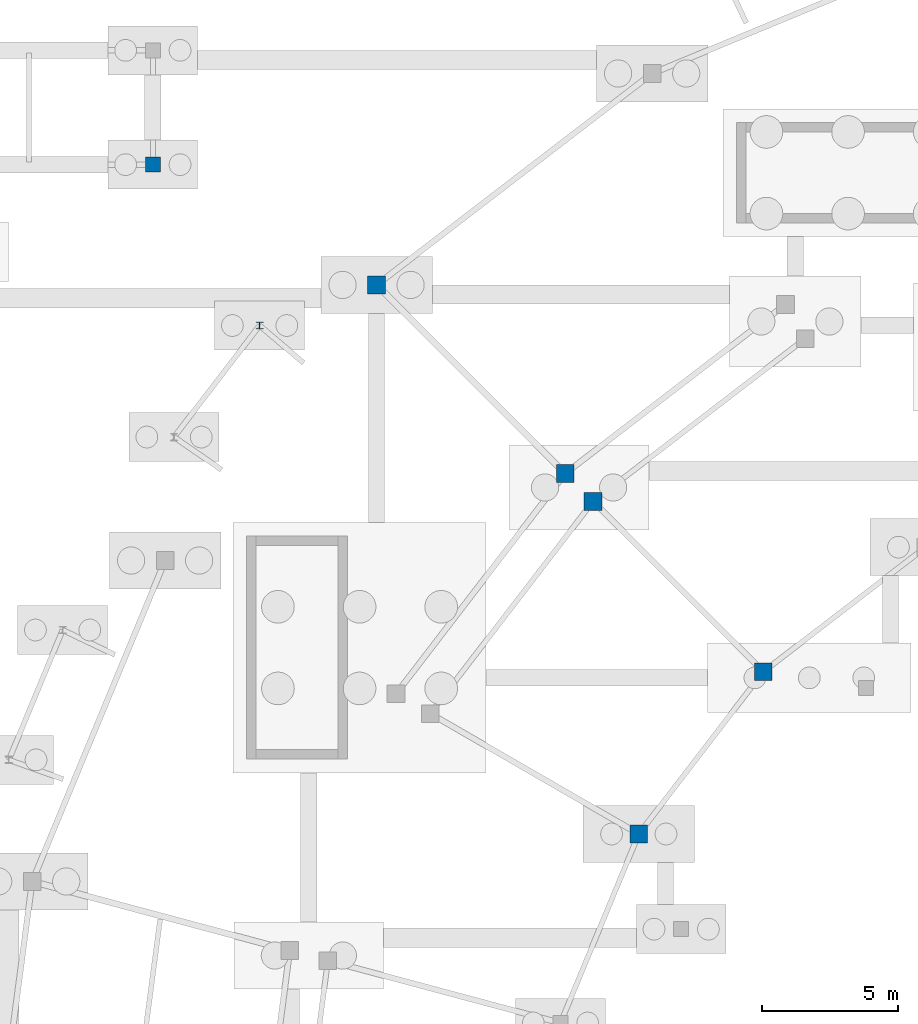
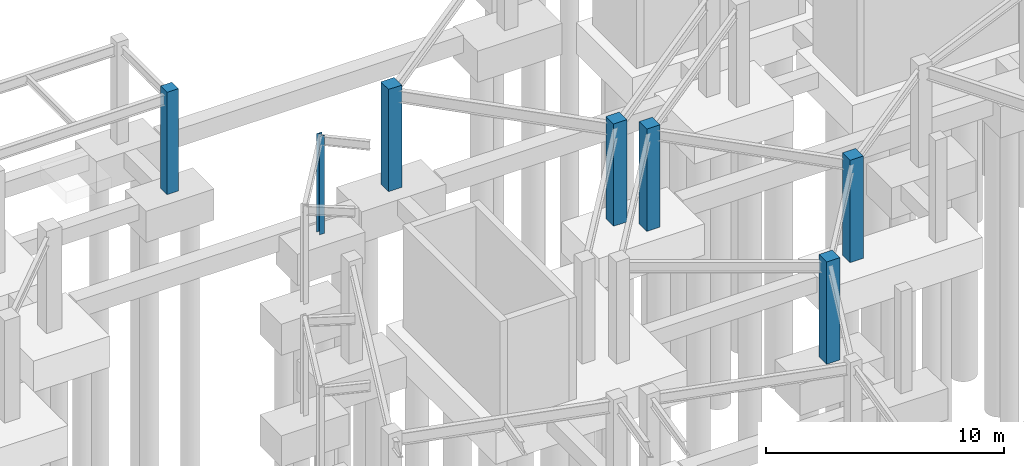
# One storey, part 21 of 55: 7 columns.
"""IFC4 building model written with IfcOpenShell, lengths in metres."""

from ifc_helpers import new_model, si_unit, direction, frame, origin, origin_2d, place, context, subcontext, project, spatial, rectangle, i_section, extrude, material, material_profile, profile_set, type_object, element, save


model = new_model("IFC4")

# Units and contexts
model_context = context("Model", 3, precision=1e-05, world=origin(), true_north=direction((0.0, 1.0)))
body_context = subcontext(model_context, "Body", "Model", "MODEL_VIEW")
ifc_project = project(units=[si_unit("LENGTHUNIT", "METRE"), si_unit("AREAUNIT", "SQUARE_METRE"), si_unit("VOLUMEUNIT", "CUBIC_METRE"), si_unit("PLANEANGLEUNIT", "RADIAN"), si_unit("MASSUNIT", "GRAM", prefix="KILO")], contexts=[model_context])

# Site, building, storey
site_placement = place(None, origin())
site = spatial("IfcSite", under=ifc_project, at=site_placement, CompositionType="ELEMENT")
building_placement = place(site_placement, origin())
building = spatial("IfcBuilding", under=site, at=building_placement, Name="Almandine Court Research Institute", CompositionType="ELEMENT")
storey_placement = place(building_placement, frame((0.0, 0.0, -5.25)))
storey = spatial("IfcBuildingStorey", under=building, at=storey_placement, Name="B1", CompositionType="ELEMENT", Elevation=-5.25)

# Columns
ifc_material_1 = material(Name="Concrete C40/50", Category="concrete")
ifc_material_profile_1 = material_profile(ifc_material_1, rectangle(XDim=0.64990234375, YDim=0.64990234375, at=origin_2d()), Name="RC 650x650")
ifc_profile_set_1 = profile_set([ifc_material_profile_1], Name="Concrete C40/50")
column_type_1 = type_object("IfcColumnType", Name="Col-C-RC2", PredefinedType="COLUMN", material=ifc_profile_set_1)
for number, where, z_axis, x_axis, name in (
    (1, (59.35205078125, 83.64794921875, 0.0), (0.0, 0.0, 1.0), (1.0, 0.0, 0.0), "B1 V5 Column V5-IN-S09"),
    (2, (52.422119140625, 90.577880859375, 0.0), (0.0, 0.0, 1.0), (1.0, 0.0, 0.0), "B1 V5 Column V5-OUT-S09"),
    (3, (60.376953125, 82.623046875, 0.0), (0.0, 0.0, 1.0), (1.0, 0.0, 0.0), "B1 V2 Column V2-OUT-S09"),
    (4, (66.635009765625, 76.364990234375, 0.0), (0.0, 0.0, 1.0), (1.0, 0.0, 0.0), "B1 V2 Column V2-MID-S09"),
    (5, (62.05810546875, 70.39990234375, 0.0), (0.0, 0.0, 1.0), (1.0, 0.0, 0.0), "B1 V2 Column V2-MID-S10"),
):
    element("IfcColumn", number, at=place(storey_placement, frame(where, z_axis=z_axis, x_axis=x_axis)), inside=storey, type_object=column_type_1, Name=name, PredefinedType="COLUMN", context=body_context, shape_type="SweptSolid", body=[
        extrude(rectangle(XDim=0.64990234375, YDim=0.64990234375, at=origin_2d()), origin(), (0.0, 0.0, 1.0), 5.25),
    ])
ifc_material_profile_2 = material_profile(ifc_material_1, rectangle(XDim=0.550048828125, YDim=0.550048828125, at=origin_2d()), Name="RC 550x550")
ifc_profile_set_2 = profile_set([ifc_material_profile_2], Name="Concrete C40/50")
column_type_2 = type_object("IfcColumnType", Name="Col-C-RC3", PredefinedType="COLUMN", material=ifc_profile_set_2)
column_1_placement = place(storey_placement, frame((44.199951171875, 95.0, 0.0), z_axis=(0.0, 0.0, 1.0), x_axis=(1.0, 0.0, 0.0)))
element("IfcColumn", 6, at=column_1_placement, inside=storey, type_object=column_type_2, Name="B1 DAL-NW Column DAL-NW-X2Y1", PredefinedType="COLUMN", context=body_context, shape_type="SweptSolid", body=[
    extrude(rectangle(XDim=0.550048828125, YDim=0.550048828125, at=origin_2d()), origin(), (0.0, 0.0, 1.0), 5.25),
])
ifc_material_2 = material(Name="Steel ASTM A992 Grade 50", Category="steel")
ifc_material_profile_3 = material_profile(ifc_material_2, i_section(OverallWidth=0.25390625, OverallDepth=0.2529296875, WebThickness=0.009033203125, FlangeThickness=0.013916015625, at=origin_2d()), Name="W250x73")
ifc_profile_set_3 = profile_set([ifc_material_profile_3], Name="Steel ASTM A992 Grade 50")
column_type_3 = type_object("IfcColumnType", Name="Col-C-W10", PredefinedType="COLUMN", material=ifc_profile_set_3)
column_2_placement = place(storey_placement, frame((48.123046875, 89.0869140625, 0.0), z_axis=(0.0, 0.0, 1.0), x_axis=(1.0, 0.0, 0.0)))
element("IfcColumn", 7, at=column_2_placement, inside=storey, type_object=column_type_3, Name="B1 Exterior Threshold Support Column PAD-DRUM-S09-C1", PredefinedType="COLUMN", context=body_context, shape_type="SweptSolid", body=[
    extrude(i_section(OverallWidth=0.25390625, OverallDepth=0.2529296875, WebThickness=0.009033203125, FlangeThickness=0.013916015625, at=origin_2d()), origin(), (0.0, 0.0, 1.0), 5.050048828125),
])

save(model, "model.ifc")
